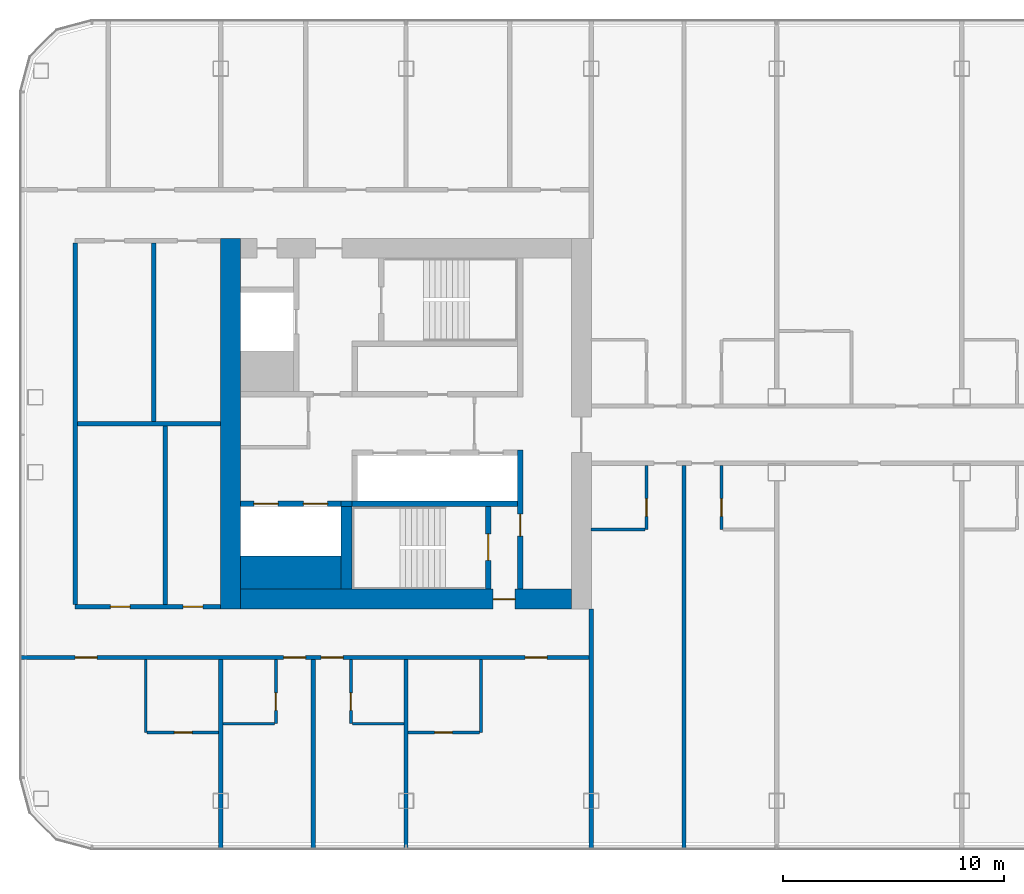
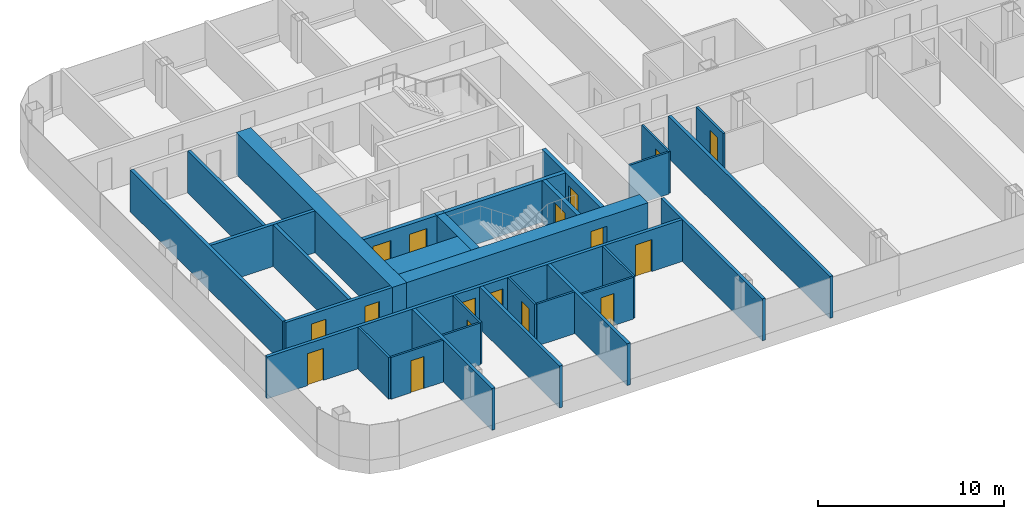
# One storey, part 12 of 26: 31 walls, 17 doors, 17 openings.
"""IFC4 building model written with IfcOpenShell, lengths in metres."""

from ifc_helpers import new_model, si_unit, direction, frame, frame_2d, origin, place, context, subcontext, project, spatial, rectangle, extrude, material, layer, layer_set, type_object, element, fill, save


model = new_model("IFC4")

# Units and contexts
model_context = context("Model", 3, precision=1e-05, world=origin(), true_north=direction((0.0, 1.0)))
body_context = subcontext(model_context, "Body", "Model", "MODEL_VIEW")
ifc_project = project(units=[si_unit("LENGTHUNIT", "METRE"), si_unit("AREAUNIT", "SQUARE_METRE"), si_unit("VOLUMEUNIT", "CUBIC_METRE"), si_unit("PLANEANGLEUNIT", "RADIAN"), si_unit("MASSUNIT", "GRAM", prefix="KILO")], contexts=[model_context])

# Site, building, storey
site_placement = place(None, origin())
site = spatial("IfcSite", under=ifc_project, at=site_placement, CompositionType="ELEMENT")
building_placement = place(site_placement, origin())
building = spatial("IfcBuilding", under=site, at=building_placement, Name="Hakoniwa Tower and Hamabe Station Hall", CompositionType="ELEMENT")
storey_placement = place(building_placement, frame((0.0, 0.0, 140.60009765625)))
storey = spatial("IfcBuildingStorey", under=building, at=storey_placement, Name="L39", CompositionType="ELEMENT", Elevation=140.60009765625)

# Wall, opening, door
ifc_material_1 = material(Name="Gypsum board partition", Category="gypsum")
ifc_layer_1 = layer(ifc_material_1, 0.125)
ifc_layer_set_1 = layer_set([ifc_layer_1], Name="Bathroom Partition 125")
wall_type_1 = type_object("IfcWallType", Name="Bathroom Partition 125", PredefinedType="PARTITIONING", material=ifc_layer_set_1)
wall_1_placement = place(storey_placement, frame((-36.9375, -14.0, 0.0), z_axis=(0.0, 0.0, 1.0), x_axis=(1.0, 0.0, 0.0)))
wall_1 = element("IfcWall", 1, at=wall_1_placement, inside=storey, type_object=wall_type_1, Name="GW-L39-001", PredefinedType="PARTITIONING", context=body_context, shape_type="SweptSolid", body=[
    extrude(rectangle(XDim=3.237548828125, YDim=0.125, at=frame_2d((1.61865234375, 0.0))), origin(), (0.0, 0.0, 1.0), 2.75),
])
opening_1_placement = place(wall_1_placement, frame((1.237548828125, 0.0, 0.0)))
opening_1 = element("IfcOpeningElement", 2, at=opening_1_placement, cuts=wall_1, Name="Opening GD-G3D0-01", PredefinedType="OPENING", context=body_context, shape_type="SweptSolid", body=[
    extrude(rectangle(XDim=0.800048828125, YDim=2.10009765625, at=frame_2d((0.39990234375, 1.050048828125))), frame((0.0, 0.072509765625, 0.0), z_axis=(0.0, -1.0, 0.0), x_axis=(1.0, 0.0, 0.0)), (0.0, 0.0, 1.0), 0.14501953125),
])
ifc_material_2 = material(Name="Timber door leaf", Category="wood")
door_type_1 = type_object("IfcDoorType", Name="Bathroom Door 800", OperationType="SINGLE_SWING_LEFT", PredefinedType="DOOR", material=ifc_material_2)
door_1_placement = place(opening_1_placement, origin())
door_1 = element("IfcDoor", 3, at=door_1_placement, inside=storey, type_object=door_type_1, Name="Door GD-G3D0-01", OperationType="SINGLE_SWING_RIGHT", OverallHeight=2.10009765625, OverallWidth=0.800048828125, PredefinedType="DOOR", context=body_context, shape_type="SweptSolid", body=[
    extrude(rectangle(XDim=0.800048828125, YDim=2.10009765625, at=frame_2d((0.39990234375, 1.050048828125))), frame((0.0, 0.02490234375, 0.0), z_axis=(0.0, -1.0, 0.0), x_axis=(1.0, 0.0, 0.0)), (0.0, 0.0, 1.0), 0.050048828125),
])
fill(opening_1, door_1)

wall_2_placement = place(storey_placement, frame((-25.10009765625, -14.0, 0.0), z_axis=(0.0, 0.0, 1.0), x_axis=(1.0, 0.0, 0.0)))
wall_2 = element("IfcWall", 4, at=wall_2_placement, inside=storey, type_object=wall_type_1, Name="GW-L39-002", PredefinedType="PARTITIONING", context=body_context, shape_type="SweptSolid", body=[
    extrude(rectangle(XDim=3.237548828125, YDim=0.125, at=frame_2d((1.61865234375, 0.0))), origin(), (0.0, 0.0, 1.0), 2.75),
])
opening_2_placement = place(wall_2_placement, frame((1.199951171875, 0.0, 0.0)))
opening_2 = element("IfcOpeningElement", 5, at=opening_2_placement, cuts=wall_2, Name="Opening GD-G3D0-02", PredefinedType="OPENING", context=body_context, shape_type="SweptSolid", body=[
    extrude(rectangle(XDim=0.800048828125, YDim=2.10009765625, at=frame_2d((0.39990234375, 1.050048828125))), frame((0.0, 0.072509765625, 0.0), z_axis=(0.0, -1.0, 0.0), x_axis=(1.0, 0.0, 0.0)), (0.0, 0.0, 1.0), 0.14501953125),
])
door_2_placement = place(opening_2_placement, origin())
door_2 = element("IfcDoor", 6, at=door_2_placement, inside=storey, type_object=door_type_1, Name="Door GD-G3D0-02", OperationType="SINGLE_SWING_LEFT", OverallHeight=2.10009765625, OverallWidth=0.800048828125, PredefinedType="DOOR", context=body_context, shape_type="SweptSolid", body=[
    extrude(rectangle(XDim=0.800048828125, YDim=2.10009765625, at=frame_2d((0.39990234375, 1.050048828125))), frame((0.0, 0.02490234375, 0.0), z_axis=(0.0, -1.0, 0.0), x_axis=(1.0, 0.0, 0.0)), (0.0, 0.0, 1.0), 0.050048828125),
])
fill(opening_2, door_2)

# Walls
for number, where, z_axis, x_axis, name in (
    (7, (-33.5, -13.60009765625, 0.0), (0.0, 0.0, 1.0), (1.0, 0.0, 0.0), "GW-L39-004"),
    (8, (-27.637451171875, -13.60009765625, 0.0), (0.0, 0.0, 1.0), (1.0, 0.0, 0.0), "GW-L39-005"),
):
    element("IfcWall", number, at=place(storey_placement, frame(where, z_axis=z_axis, x_axis=x_axis)), inside=storey, type_object=wall_type_1, Name=name, PredefinedType="PARTITIONING", context=body_context, shape_type="SweptSolid", body=[
        extrude(rectangle(XDim=2.33740234375, YDim=0.125, at=frame_2d((1.168701171875, 0.0))), origin(), (0.0, 0.0, 1.0), 2.75),
    ])
wall_3_placement = place(storey_placement, frame((-16.81005859375, -4.800048828125, 0.0), z_axis=(0.0, 0.0, 1.0), x_axis=(1.0, 0.0, 0.0)))
element("IfcWall", 9, at=wall_3_placement, inside=storey, type_object=wall_type_1, Name="GW-L39-015", PredefinedType="PARTITIONING", context=body_context, shape_type="SweptSolid", body=[
    extrude(rectangle(XDim=2.447509765625, YDim=0.125, at=frame_2d((1.2236328125, 0.0))), origin(), (0.0, 0.0, 1.0), 2.75),
])
wall_4_placement = place(storey_placement, frame((-37.0, -14.0, 0.0), z_axis=(0.0, 0.0, 1.0), x_axis=(0.0, 1.0, 0.0)))
element("IfcWall", 10, at=wall_4_placement, inside=storey, type_object=wall_type_1, Name="GW-L39-035", PredefinedType="PARTITIONING", context=body_context, shape_type="SweptSolid", body=[
    extrude(rectangle(XDim=3.300048828125, YDim=0.125, at=frame_2d((1.64990234375, 0.0))), origin(), (0.0, 0.0, 1.0), 2.75),
])

# Wall, opening, door
wall_5_placement = place(storey_placement, frame((-31.10009765625, -13.60009765625, 0.0), z_axis=(0.0, 0.0, 1.0), x_axis=(0.0, 1.0, 0.0)))
wall_5 = element("IfcWall", 11, at=wall_5_placement, inside=storey, type_object=wall_type_1, Name="GW-L39-040", PredefinedType="PARTITIONING", context=body_context, shape_type="SweptSolid", body=[
    extrude(rectangle(XDim=2.900146484375, YDim=0.125, at=frame_2d((1.4501953125, 0.0))), origin(), (0.0, 0.0, 1.0), 2.75),
])
opening_3_placement = place(wall_5_placement, frame((0.60009765625, 0.0, 0.0)))
opening_3 = element("IfcOpeningElement", 12, at=opening_3_placement, cuts=wall_5, Name="Opening GD-G3D0-44", PredefinedType="OPENING", context=body_context, shape_type="SweptSolid", body=[
    extrude(rectangle(XDim=0.800048828125, YDim=2.10009765625, at=frame_2d((0.39990234375, 1.050048828125))), frame((0.0, 0.072509765625, 0.0), z_axis=(0.0, -1.0, 0.0), x_axis=(1.0, 0.0, 0.0)), (0.0, 0.0, 1.0), 0.14501953125),
])
door_3_placement = place(opening_3_placement, origin())
door_3 = element("IfcDoor", 13, at=door_3_placement, inside=storey, type_object=door_type_1, Name="Door GD-G3D0-44", OperationType="SINGLE_SWING_RIGHT", OverallHeight=2.10009765625, OverallWidth=0.800048828125, PredefinedType="DOOR", context=body_context, shape_type="SweptSolid", body=[
    extrude(rectangle(XDim=0.800048828125, YDim=2.10009765625, at=frame_2d((0.39990234375, 1.050048828125))), frame((0.0, 0.02490234375, 0.0), z_axis=(0.0, -1.0, 0.0), x_axis=(1.0, 0.0, 0.0)), (0.0, 0.0, 1.0), 0.050048828125),
])
fill(opening_3, door_3)

wall_6_placement = place(storey_placement, frame((-27.699951171875, -13.60009765625, 0.0), z_axis=(0.0, 0.0, 1.0), x_axis=(0.0, 1.0, 0.0)))
wall_6 = element("IfcWall", 14, at=wall_6_placement, inside=storey, type_object=wall_type_1, Name="GW-L39-043", PredefinedType="PARTITIONING", context=body_context, shape_type="SweptSolid", body=[
    extrude(rectangle(XDim=2.900146484375, YDim=0.125, at=frame_2d((1.4501953125, 0.0))), origin(), (0.0, 0.0, 1.0), 2.75),
])
opening_4_placement = place(wall_6_placement, frame((0.60009765625, 0.0, 0.0)))
opening_4 = element("IfcOpeningElement", 15, at=opening_4_placement, cuts=wall_6, Name="Opening GD-G3D0-45", PredefinedType="OPENING", context=body_context, shape_type="SweptSolid", body=[
    extrude(rectangle(XDim=0.800048828125, YDim=2.10009765625, at=frame_2d((0.39990234375, 1.050048828125))), frame((0.0, 0.072509765625, 0.0), z_axis=(0.0, -1.0, 0.0), x_axis=(1.0, 0.0, 0.0)), (0.0, 0.0, 1.0), 0.14501953125),
])
door_4_placement = place(opening_4_placement, origin())
door_4 = element("IfcDoor", 16, at=door_4_placement, inside=storey, type_object=door_type_1, Name="Door GD-G3D0-45", OperationType="SINGLE_SWING_LEFT", OverallHeight=2.10009765625, OverallWidth=0.800048828125, PredefinedType="DOOR", context=body_context, shape_type="SweptSolid", body=[
    extrude(rectangle(XDim=0.800048828125, YDim=2.10009765625, at=frame_2d((0.39990234375, 1.050048828125))), frame((0.0, 0.02490234375, 0.0), z_axis=(0.0, -1.0, 0.0), x_axis=(1.0, 0.0, 0.0)), (0.0, 0.0, 1.0), 0.050048828125),
])
fill(opening_4, door_4)

# Wall
wall_7_placement = place(storey_placement, frame((-21.800048828125, -14.0, 0.0), z_axis=(0.0, 0.0, 1.0), x_axis=(0.0, 1.0, 0.0)))
element("IfcWall", 17, at=wall_7_placement, inside=storey, type_object=wall_type_1, Name="GW-L39-046", PredefinedType="PARTITIONING", context=body_context, shape_type="SweptSolid", body=[
    extrude(rectangle(XDim=3.300048828125, YDim=0.125, at=frame_2d((1.64990234375, 0.0))), origin(), (0.0, 0.0, 1.0), 2.75),
])

# Wall, opening, door
wall_8_placement = place(storey_placement, frame((-14.300048828125, -4.800048828125, 0.0), z_axis=(0.0, 0.0, 1.0), x_axis=(0.0, 1.0, 0.0)))
wall_8 = element("IfcWall", 18, at=wall_8_placement, inside=storey, type_object=wall_type_1, Name="GW-L39-050", PredefinedType="PARTITIONING", context=body_context, shape_type="SweptSolid", body=[
    extrude(rectangle(XDim=2.900146484375, YDim=0.125, at=frame_2d((1.4501953125, 0.0))), origin(), (0.0, 0.0, 1.0), 2.75),
])
opening_5_placement = place(wall_8_placement, frame((0.60009765625, 0.0, 0.0)))
opening_5 = element("IfcOpeningElement", 19, at=opening_5_placement, cuts=wall_8, Name="Opening GD-G3D0-46", PredefinedType="OPENING", context=body_context, shape_type="SweptSolid", body=[
    extrude(rectangle(XDim=0.800048828125, YDim=2.10009765625, at=frame_2d((0.39990234375, 1.050048828125))), frame((0.0, 0.072509765625, 0.0), z_axis=(0.0, -1.0, 0.0), x_axis=(1.0, 0.0, 0.0)), (0.0, 0.0, 1.0), 0.14501953125),
])
door_5_placement = place(opening_5_placement, origin())
door_5 = element("IfcDoor", 20, at=door_5_placement, inside=storey, type_object=door_type_1, Name="Door GD-G3D0-46", OperationType="SINGLE_SWING_RIGHT", OverallHeight=2.10009765625, OverallWidth=0.800048828125, PredefinedType="DOOR", context=body_context, shape_type="SweptSolid", body=[
    extrude(rectangle(XDim=0.800048828125, YDim=2.10009765625, at=frame_2d((0.39990234375, 1.050048828125))), frame((0.0, 0.02490234375, 0.0), z_axis=(0.0, -1.0, 0.0), x_axis=(1.0, 0.0, 0.0)), (0.0, 0.0, 1.0), 0.050048828125),
])
fill(opening_5, door_5)

wall_9_placement = place(storey_placement, frame((-10.89990234375, -4.800048828125, 0.0), z_axis=(0.0, 0.0, 1.0), x_axis=(0.0, 1.0, 0.0)))
wall_9 = element("IfcWall", 21, at=wall_9_placement, inside=storey, type_object=wall_type_1, Name="GW-L39-054", PredefinedType="PARTITIONING", context=body_context, shape_type="SweptSolid", body=[
    extrude(rectangle(XDim=2.900146484375, YDim=0.125, at=frame_2d((1.4501953125, 0.0))), origin(), (0.0, 0.0, 1.0), 2.75),
])
opening_6_placement = place(wall_9_placement, frame((0.60009765625, 0.0, 0.0)))
opening_6 = element("IfcOpeningElement", 22, at=opening_6_placement, cuts=wall_9, Name="Opening GD-G3D0-48", PredefinedType="OPENING", context=body_context, shape_type="SweptSolid", body=[
    extrude(rectangle(XDim=0.800048828125, YDim=2.10009765625, at=frame_2d((0.39990234375, 1.050048828125))), frame((0.0, 0.072509765625, 0.0), z_axis=(0.0, -1.0, 0.0), x_axis=(1.0, 0.0, 0.0)), (0.0, 0.0, 1.0), 0.14501953125),
])
door_6_placement = place(opening_6_placement, origin())
door_6 = element("IfcDoor", 23, at=door_6_placement, inside=storey, type_object=door_type_1, Name="Door GD-G3D0-48", OperationType="SINGLE_SWING_LEFT", OverallHeight=2.10009765625, OverallWidth=0.800048828125, PredefinedType="DOOR", context=body_context, shape_type="SweptSolid", body=[
    extrude(rectangle(XDim=0.800048828125, YDim=2.10009765625, at=frame_2d((0.39990234375, 1.050048828125))), frame((0.0, 0.02490234375, 0.0), z_axis=(0.0, -1.0, 0.0), x_axis=(1.0, 0.0, 0.0)), (0.0, 0.0, 1.0), 0.050048828125),
])
fill(opening_6, door_6)

# Wall
ifc_material_3 = material(Name="Concrete C66", Category="concrete")
ifc_layer_2 = layer(ifc_material_3, 0.89990234375)
ifc_layer_set_2 = layer_set([ifc_layer_2], Name="CORE WALL 900 C66")
wall_type_2 = type_object("IfcWallType", Name="CORE WALL 900 C66", PredefinedType="SHEAR", material=ifc_layer_set_2)
wall_10_placement = place(storey_placement, frame((-33.14990234375, -8.39990234375, 0.0), z_axis=(0.0, 0.0, 1.0), x_axis=(0.0, 1.0, 0.0)))
element("IfcWall", 24, at=wall_10_placement, inside=storey, type_object=wall_type_2, Name="Core wall OUTER west", PredefinedType="SHEAR", context=body_context, shape_type="SweptSolid", body=[
    extrude(rectangle(XDim=16.7998046875, YDim=0.89990234375, at=frame_2d((8.39990234375, 0.0))), origin(), (0.0, 0.0, 1.0), 2.75),
])

# Wall, opening, door
wall_11_placement = place(storey_placement, frame((-32.699951171875, -7.949951171875, 0.0), z_axis=(0.0, 0.0, 1.0), x_axis=(1.0, 0.0, 0.0)))
wall_11 = element("IfcWall", 25, at=wall_11_placement, inside=storey, type_object=wall_type_2, Name="Core wall SOUTH west", PredefinedType="SHEAR", context=body_context, shape_type="SweptSolid", body=[
    extrude(rectangle(XDim=15.0, YDim=0.89990234375, at=frame_2d((7.5, 0.0))), origin(), (0.0, 0.0, 1.0), 2.75),
])
opening_7_placement = place(wall_11_placement, frame((11.449951171875, 0.0, 0.0)))
opening_7 = element("IfcOpeningElement", 26, at=opening_7_placement, cuts=wall_11, Name="Opening CD-W-FS3-10", PredefinedType="OPENING", context=body_context, shape_type="SweptSolid", body=[
    extrude(rectangle(XDim=1.0, YDim=2.10009765625, at=frame_2d((0.5, 1.050048828125))), frame((0.0, 0.4599609375, 0.0), z_axis=(0.0, -1.0, 0.0), x_axis=(1.0, 0.0, 0.0)), (0.0, 0.0, 1.0), 0.919921875),
])
ifc_material_4 = material(Name="Steel fire door", Category="steel")
door_type_2 = type_object("IfcDoorType", Name="CORE DOOR 1000 FD60", OperationType="NOTDEFINED", PredefinedType="DOOR", material=ifc_material_4)
door_7_placement = place(opening_7_placement, origin())
door_7 = element("IfcDoor", 27, at=door_7_placement, inside=storey, type_object=door_type_2, Name="Stair vestibule door", OperationType="SINGLE_SWING_RIGHT", OverallHeight=2.10009765625, OverallWidth=1.0, PredefinedType="DOOR", context=body_context, shape_type="SweptSolid", body=[
    extrude(rectangle(XDim=1.0, YDim=2.10009765625, at=frame_2d((0.5, 1.050048828125))), frame((0.0, 0.02490234375, 0.0), z_axis=(0.0, -1.0, 0.0), x_axis=(1.0, 0.0, 0.0)), (0.0, 0.0, 1.0), 0.050048828125),
])
fill(opening_7, door_7)

# Wall
ifc_material_5 = material(Name="Concrete C66", Category="concrete")
ifc_layer_3 = layer(ifc_material_5, 1.5)
ifc_layer_set_3 = layer_set([ifc_layer_3], Name="CORE WEB WALL 1500 C66")
wall_type_3 = type_object("IfcWallType", Name="CORE WEB WALL 1500 C66", PredefinedType="SHEAR", material=ifc_layer_set_3)
wall_12_placement = place(storey_placement, frame((-32.699951171875, -6.75, 0.0), z_axis=(0.0, 0.0, 1.0), x_axis=(1.0, 0.0, 0.0)))
element("IfcWall", 28, at=wall_12_placement, inside=storey, type_object=wall_type_3, Name="Core wall SER west", PredefinedType="SHEAR", context=body_context, shape_type="SweptSolid", body=[
    extrude(rectangle(XDim=4.550048828125, YDim=1.5, at=frame_2d((2.27490234375, 0.0))), origin(), (0.0, 0.0, 1.0), 2.75),
])

# Wall, opening, door
ifc_material_6 = material(Name="Concrete C66", Category="concrete")
ifc_layer_4 = layer(ifc_material_6, 0.25)
ifc_layer_set_4 = layer_set([ifc_layer_4], Name="CORE WEB WALL 250 C66")
wall_type_4 = type_object("IfcWallType", Name="CORE WEB WALL 250 C66", PredefinedType="SHEAR", material=ifc_layer_set_4)
wall_13_placement = place(storey_placement, frame((-20.02490234375, -7.5, 0.0), z_axis=(0.0, 0.0, 1.0), x_axis=(0.0, 1.0, 0.0)))
wall_13 = element("IfcWall", 29, at=wall_13_placement, inside=storey, type_object=wall_type_4, Name="Core wall W1S west", PredefinedType="SHEAR", context=body_context, shape_type="SweptSolid", body=[
    extrude(rectangle(XDim=6.300048828125, YDim=0.25, at=frame_2d((3.14990234375, 0.0))), origin(), (0.0, 0.0, 1.0), 2.75),
])
opening_8_placement = place(wall_13_placement, frame((2.39990234375, 0.0, 0.0)))
opening_8 = element("IfcOpeningElement", 30, at=opening_8_placement, cuts=wall_13, Name="Opening CD-W-VS-10", PredefinedType="OPENING", context=body_context, shape_type="SweptSolid", body=[
    extrude(rectangle(XDim=1.0, YDim=2.10009765625, at=frame_2d((0.5, 1.050048828125))), frame((0.0, 0.135009765625, 0.0), z_axis=(0.0, -1.0, 0.0), x_axis=(1.0, 0.0, 0.0)), (0.0, 0.0, 1.0), 0.27001953125),
])
door_8_placement = place(opening_8_placement, origin())
door_8 = element("IfcDoor", 31, at=door_8_placement, inside=storey, type_object=door_type_2, Name="Stair vestibule door", OperationType="SINGLE_SWING_LEFT", OverallHeight=2.10009765625, OverallWidth=1.0, PredefinedType="DOOR", context=body_context, shape_type="SweptSolid", body=[
    extrude(rectangle(XDim=1.0, YDim=2.10009765625, at=frame_2d((0.5, 1.050048828125))), frame((0.0, 0.02490234375, 0.0), z_axis=(0.0, -1.0, 0.0), x_axis=(1.0, 0.0, 0.0)), (0.0, 0.0, 1.0), 0.050048828125),
])
fill(opening_8, door_8)

# Wall
wall_14_placement = place(storey_placement, frame((-27.64990234375, -3.625, 0.0), z_axis=(0.0, 0.0, 1.0), x_axis=(1.0, 0.0, 0.0)))
element("IfcWall", 32, at=wall_14_placement, inside=storey, type_object=wall_type_4, Name="Core wall SR west", PredefinedType="SHEAR", context=body_context, shape_type="SweptSolid", body=[
    extrude(rectangle(XDim=7.5, YDim=0.25, at=frame_2d((3.75, 0.0))), origin(), (0.0, 0.0, 1.0), 2.75),
])

# Wall, opening, door
wall_15_placement = place(storey_placement, frame((-21.47509765625, -7.5, 0.0), z_axis=(0.0, 0.0, 1.0), x_axis=(0.0, 1.0, 0.0)))
wall_15 = element("IfcWall", 33, at=wall_15_placement, inside=storey, type_object=wall_type_4, Name="Core wall VE west", PredefinedType="SHEAR", context=body_context, shape_type="SweptSolid", body=[
    extrude(rectangle(XDim=3.75, YDim=0.25, at=frame_2d((1.875, 0.0))), origin(), (0.0, 0.0, 1.0), 2.75),
])
opening_9_placement = place(wall_15_placement, frame((1.300048828125, 0.0, 0.0)))
opening_9 = element("IfcOpeningElement", 34, at=opening_9_placement, cuts=wall_15, Name="Opening CD-W-SS-12", PredefinedType="OPENING", context=body_context, shape_type="SweptSolid", body=[
    extrude(rectangle(XDim=1.199951171875, YDim=2.10009765625, at=frame_2d((0.60009765625, 1.050048828125))), frame((0.0, 0.135009765625, 0.0), z_axis=(0.0, -1.0, 0.0), x_axis=(1.0, 0.0, 0.0)), (0.0, 0.0, 1.0), 0.27001953125),
])
ifc_material_7 = material(Name="Steel fire door", Category="steel")
door_type_3 = type_object("IfcDoorType", Name="CORE DOOR 1200 FD60", OperationType="DOUBLE_DOOR_SINGLE_SWING", PredefinedType="DOOR", material=ifc_material_7)
door_9_placement = place(opening_9_placement, origin())
door_9 = element("IfcDoor", 35, at=door_9_placement, inside=storey, type_object=door_type_3, Name="Escape stair door", OperationType="DOUBLE_DOOR_SINGLE_SWING", OverallHeight=2.10009765625, OverallWidth=1.199951171875, PredefinedType="DOOR", context=body_context, shape_type="SweptSolid", body=[
    extrude(rectangle(XDim=1.199951171875, YDim=2.10009765625, at=frame_2d((0.60009765625, 1.050048828125))), frame((0.0, 0.02490234375, 0.0), z_axis=(0.0, -1.0, 0.0), x_axis=(1.0, 0.0, 0.0)), (0.0, 0.0, 1.0), 0.050048828125),
])
fill(opening_9, door_9)

# Wall, openings, doors
wall_16_placement = place(storey_placement, frame((-32.699951171875, -3.625, 0.0), z_axis=(0.0, 0.0, 1.0), x_axis=(1.0, 0.0, 0.0)))
wall_16 = element("IfcWall", 36, at=wall_16_placement, inside=storey, type_object=wall_type_4, Name="Core wall SEF west", PredefinedType="SHEAR", context=body_context, shape_type="SweptSolid", body=[
    extrude(rectangle(XDim=4.550048828125, YDim=0.25, at=frame_2d((2.27490234375, 0.0))), origin(), (0.0, 0.0, 1.0), 2.75),
])
opening_10_placement = place(wall_16_placement, frame((2.85009765625, 0.0, 0.0)))
opening_10 = element("IfcOpeningElement", 37, at=opening_10_placement, cuts=wall_16, Name="Opening LD-SV1", PredefinedType="OPENING", context=body_context, shape_type="SweptSolid", body=[
    extrude(rectangle(XDim=1.10009765625, YDim=2.10009765625, at=frame_2d((0.550048828125, 1.050048828125))), frame((0.0, 0.135009765625, 0.0), z_axis=(0.0, -1.0, 0.0), x_axis=(1.0, 0.0, 0.0)), (0.0, 0.0, 1.0), 0.27001953125),
])
opening_11_placement = place(wall_16_placement, frame((0.60009765625, 0.0, 0.0)))
opening_11 = element("IfcOpeningElement", 38, at=opening_11_placement, cuts=wall_16, Name="Opening LD-SV2", PredefinedType="OPENING", context=body_context, shape_type="SweptSolid", body=[
    extrude(rectangle(XDim=1.10009765625, YDim=2.10009765625, at=frame_2d((0.550048828125, 1.050048828125))), frame((0.0, 0.135009765625, 0.0), z_axis=(0.0, -1.0, 0.0), x_axis=(1.0, 0.0, 0.0)), (0.0, 0.0, 1.0), 0.27001953125),
])
ifc_material_8 = material(Name="Stainless steel SUS304", Category="steel")
door_type_4 = type_object("IfcDoorType", Name="LIFT LANDING DOOR 1100 FD60", OperationType="DOUBLE_DOOR_SLIDING", PredefinedType="DOOR", material=ifc_material_8)
door_10_placement = place(opening_10_placement, origin())
door_10 = element("IfcDoor", 39, at=door_10_placement, inside=storey, type_object=door_type_4, Name="Lift landing door SV1 L39", OperationType="DOUBLE_DOOR_SLIDING", OverallHeight=2.10009765625, OverallWidth=1.10009765625, PredefinedType="DOOR", context=body_context, shape_type="SweptSolid", body=[
    extrude(rectangle(XDim=1.10009765625, YDim=2.10009765625, at=frame_2d((0.550048828125, 1.050048828125))), frame((0.0, 0.02490234375, 0.0), z_axis=(0.0, -1.0, 0.0), x_axis=(1.0, 0.0, 0.0)), (0.0, 0.0, 1.0), 0.050048828125),
])
fill(opening_10, door_10)
door_11_placement = place(opening_11_placement, origin())
door_11 = element("IfcDoor", 40, at=door_11_placement, inside=storey, type_object=door_type_4, Name="Lift landing door SV2 L39", OperationType="DOUBLE_DOOR_SLIDING", OverallHeight=2.10009765625, OverallWidth=1.10009765625, PredefinedType="DOOR", context=body_context, shape_type="SweptSolid", body=[
    extrude(rectangle(XDim=1.10009765625, YDim=2.10009765625, at=frame_2d((0.550048828125, 1.050048828125))), frame((0.0, 0.02490234375, 0.0), z_axis=(0.0, -1.0, 0.0), x_axis=(1.0, 0.0, 0.0)), (0.0, 0.0, 1.0), 0.050048828125),
])
fill(opening_11, door_11)

# Walls
wall_17_placement = place(storey_placement, frame((-28.14990234375, -3.625, 0.0), z_axis=(0.0, 0.0, 1.0), x_axis=(1.0, 0.0, 0.0)))
element("IfcWall", 41, at=wall_17_placement, inside=storey, type_object=wall_type_4, Name="Core wall SRK west", PredefinedType="SHEAR", context=body_context, shape_type="SweptSolid", body=[
    extrude(rectangle(XDim=0.5, YDim=0.25, at=frame_2d((0.25, 0.0))), origin(), (0.0, 0.0, 1.0), 2.75),
])
ifc_material_9 = material(Name="Concrete C66", Category="concrete")
ifc_layer_5 = layer(ifc_material_9, 0.5)
ifc_layer_set_5 = layer_set([ifc_layer_5], Name="CORE WEB WALL 500 C66")
wall_type_5 = type_object("IfcWallType", Name="CORE WEB WALL 500 C66", PredefinedType="SHEAR", material=ifc_layer_set_5)
wall_18_placement = place(storey_placement, frame((-27.89990234375, -7.5, 0.0), z_axis=(0.0, 0.0, 1.0), x_axis=(0.0, 1.0, 0.0)))
element("IfcWall", 42, at=wall_18_placement, inside=storey, type_object=wall_type_5, Name="Core wall SSE west", PredefinedType="SHEAR", context=body_context, shape_type="SweptSolid", body=[
    extrude(rectangle(XDim=3.75, YDim=0.5, at=frame_2d((1.875, 0.0))), origin(), (0.0, 0.0, 1.0), 2.75),
])

# Wall, openings, doors
ifc_material_10 = material(Name="Fire-rated gypsum board partition", Category="gypsum")
ifc_layer_6 = layer(ifc_material_10, 0.199951171875)
ifc_layer_set_6 = layer_set([ifc_layer_6], Name="Corridor Wall 200")
wall_type_6 = type_object("IfcWallType", Name="Corridor Wall 200", PredefinedType="PARTITIONING", material=ifc_layer_set_6)
wall_19_placement = place(storey_placement, frame((-42.699951171875, -10.60009765625, 0.0), z_axis=(0.0, 0.0, 1.0), x_axis=(1.0, 0.0, 0.0)))
wall_19 = element("IfcWall", 43, at=wall_19_placement, inside=storey, type_object=wall_type_6, Name="GW-L39-010", PredefinedType="PARTITIONING", context=body_context, shape_type="SweptSolid", body=[
    extrude(rectangle(XDim=25.89990234375, YDim=0.199951171875, at=frame_2d((12.949951171875, 0.0))), origin(), (0.0, 0.0, 1.0), 2.75),
])
opening_12_placement = place(wall_19_placement, frame((2.5, 0.0, 0.0)))
opening_12 = element("IfcOpeningElement", 44, at=opening_12_placement, cuts=wall_19, Name="Opening GD-G3D0-04", PredefinedType="OPENING", context=body_context, shape_type="SweptSolid", body=[
    extrude(rectangle(XDim=1.0, YDim=2.10009765625, at=frame_2d((0.5, 1.050048828125))), frame((0.0, 0.10986328125, 0.0), z_axis=(0.0, -1.0, 0.0), x_axis=(1.0, 0.0, 0.0)), (0.0, 0.0, 1.0), 0.219970703125),
])
opening_13_placement = place(wall_19_placement, frame((11.949951171875, 0.0, 0.0)))
opening_13 = element("IfcOpeningElement", 45, at=opening_13_placement, cuts=wall_19, Name="Opening GD-G3D0-05", PredefinedType="OPENING", context=body_context, shape_type="SweptSolid", body=[
    extrude(rectangle(XDim=1.0, YDim=2.10009765625, at=frame_2d((0.5, 1.050048828125))), frame((0.0, 0.10986328125, 0.0), z_axis=(0.0, -1.0, 0.0), x_axis=(1.0, 0.0, 0.0)), (0.0, 0.0, 1.0), 0.219970703125),
])
opening_14_placement = place(wall_19_placement, frame((13.64990234375, 0.0, 0.0)))
opening_14 = element("IfcOpeningElement", 46, at=opening_14_placement, cuts=wall_19, Name="Opening GD-G3D0-06", PredefinedType="OPENING", context=body_context, shape_type="SweptSolid", body=[
    extrude(rectangle(XDim=1.0, YDim=2.10009765625, at=frame_2d((0.5, 1.050048828125))), frame((0.0, 0.10986328125, 0.0), z_axis=(0.0, -1.0, 0.0), x_axis=(1.0, 0.0, 0.0)), (0.0, 0.0, 1.0), 0.219970703125),
])
opening_15_placement = place(wall_19_placement, frame((22.89990234375, 0.0, 0.0)))
opening_15 = element("IfcOpeningElement", 47, at=opening_15_placement, cuts=wall_19, Name="Opening GD-G3D0-07", PredefinedType="OPENING", context=body_context, shape_type="SweptSolid", body=[
    extrude(rectangle(XDim=1.0, YDim=2.10009765625, at=frame_2d((0.5, 1.050048828125))), frame((0.0, 0.10986328125, 0.0), z_axis=(0.0, -1.0, 0.0), x_axis=(1.0, 0.0, 0.0)), (0.0, 0.0, 1.0), 0.219970703125),
])
ifc_material_11 = material(Name="Timber door leaf", Category="wood")
door_type_5 = type_object("IfcDoorType", Name="Guest Entrance Door 1000", OperationType="SINGLE_SWING_LEFT", PredefinedType="DOOR", material=ifc_material_11)
door_12_placement = place(opening_12_placement, origin())
door_12 = element("IfcDoor", 48, at=door_12_placement, inside=storey, type_object=door_type_5, Name="Door GD-G3D0-04", OperationType="SINGLE_SWING_RIGHT", OverallHeight=2.10009765625, OverallWidth=1.0, PredefinedType="DOOR", context=body_context, shape_type="SweptSolid", body=[
    extrude(rectangle(XDim=1.0, YDim=2.10009765625, at=frame_2d((0.5, 1.050048828125))), frame((0.0, 0.02490234375, 0.0), z_axis=(0.0, -1.0, 0.0), x_axis=(1.0, 0.0, 0.0)), (0.0, 0.0, 1.0), 0.050048828125),
])
fill(opening_12, door_12)
door_13_placement = place(opening_13_placement, origin())
door_13 = element("IfcDoor", 49, at=door_13_placement, inside=storey, type_object=door_type_5, Name="Door GD-G3D0-05", OperationType="SINGLE_SWING_LEFT", OverallHeight=2.10009765625, OverallWidth=1.0, PredefinedType="DOOR", context=body_context, shape_type="SweptSolid", body=[
    extrude(rectangle(XDim=1.0, YDim=2.10009765625, at=frame_2d((0.5, 1.050048828125))), frame((0.0, 0.02490234375, 0.0), z_axis=(0.0, -1.0, 0.0), x_axis=(1.0, 0.0, 0.0)), (0.0, 0.0, 1.0), 0.050048828125),
])
fill(opening_13, door_13)
door_14_placement = place(opening_14_placement, origin())
door_14 = element("IfcDoor", 50, at=door_14_placement, inside=storey, type_object=door_type_5, Name="Door GD-G3D0-06", OperationType="SINGLE_SWING_RIGHT", OverallHeight=2.10009765625, OverallWidth=1.0, PredefinedType="DOOR", context=body_context, shape_type="SweptSolid", body=[
    extrude(rectangle(XDim=1.0, YDim=2.10009765625, at=frame_2d((0.5, 1.050048828125))), frame((0.0, 0.02490234375, 0.0), z_axis=(0.0, -1.0, 0.0), x_axis=(1.0, 0.0, 0.0)), (0.0, 0.0, 1.0), 0.050048828125),
])
fill(opening_14, door_14)
door_15_placement = place(opening_15_placement, origin())
door_15 = element("IfcDoor", 51, at=door_15_placement, inside=storey, type_object=door_type_5, Name="Door GD-G3D0-07", OperationType="SINGLE_SWING_LEFT", OverallHeight=2.10009765625, OverallWidth=1.0, PredefinedType="DOOR", context=body_context, shape_type="SweptSolid", body=[
    extrude(rectangle(XDim=1.0, YDim=2.10009765625, at=frame_2d((0.5, 1.050048828125))), frame((0.0, 0.02490234375, 0.0), z_axis=(0.0, -1.0, 0.0), x_axis=(1.0, 0.0, 0.0)), (0.0, 0.0, 1.0), 0.050048828125),
])
fill(opening_15, door_15)

wall_20_placement = place(storey_placement, frame((-40.199951171875, -8.300048828125, 0.0), z_axis=(0.0, 0.0, 1.0), x_axis=(1.0, 0.0, 0.0)))
wall_20 = element("IfcWall", 52, at=wall_20_placement, inside=storey, type_object=wall_type_6, Name="GW-L39-012", PredefinedType="PARTITIONING", context=body_context, shape_type="SweptSolid", body=[
    extrude(rectangle(XDim=6.599853515625, YDim=0.199951171875, at=frame_2d((3.2998046875, 0.0))), origin(), (0.0, 0.0, 1.0), 2.75),
])
opening_16_placement = place(wall_20_placement, frame((1.594970703125, 0.0, 0.0)))
opening_16 = element("IfcOpeningElement", 53, at=opening_16_placement, cuts=wall_20, Name="Opening GD-G3D0-13", PredefinedType="OPENING", context=body_context, shape_type="SweptSolid", body=[
    extrude(rectangle(XDim=0.89990234375, YDim=2.10009765625, at=frame_2d((0.449951171875, 1.050048828125))), frame((0.0, 0.10986328125, 0.0), z_axis=(0.0, -1.0, 0.0), x_axis=(1.0, 0.0, 0.0)), (0.0, 0.0, 1.0), 0.219970703125),
])
opening_17_placement = place(wall_20_placement, frame((4.89501953125, 0.0, 0.0)))
opening_17 = element("IfcOpeningElement", 54, at=opening_17_placement, cuts=wall_20, Name="Opening GD-G3D0-14", PredefinedType="OPENING", context=body_context, shape_type="SweptSolid", body=[
    extrude(rectangle(XDim=0.89990234375, YDim=2.10009765625, at=frame_2d((0.449951171875, 1.050048828125))), frame((0.0, 0.10986328125, 0.0), z_axis=(0.0, -1.0, 0.0), x_axis=(1.0, 0.0, 0.0)), (0.0, 0.0, 1.0), 0.219970703125),
])
ifc_material_12 = material(Name="Timber door leaf", Category="wood")
door_type_6 = type_object("IfcDoorType", Name="Service Door 900", OperationType="SINGLE_SWING_LEFT", PredefinedType="DOOR", material=ifc_material_12)
door_16_placement = place(opening_16_placement, origin())
door_16 = element("IfcDoor", 55, at=door_16_placement, inside=storey, type_object=door_type_6, Name="Door GD-G3D0-13", OperationType="SINGLE_SWING_LEFT", OverallHeight=2.10009765625, OverallWidth=0.89990234375, PredefinedType="DOOR", context=body_context, shape_type="SweptSolid", body=[
    extrude(rectangle(XDim=0.89990234375, YDim=2.10009765625, at=frame_2d((0.449951171875, 1.050048828125))), frame((0.0, 0.02490234375, 0.0), z_axis=(0.0, -1.0, 0.0), x_axis=(1.0, 0.0, 0.0)), (0.0, 0.0, 1.0), 0.050048828125),
])
fill(opening_16, door_16)
door_17_placement = place(opening_17_placement, origin())
door_17 = element("IfcDoor", 56, at=door_17_placement, inside=storey, type_object=door_type_6, Name="Door GD-G3D0-14", OperationType="SINGLE_SWING_RIGHT", OverallHeight=2.10009765625, OverallWidth=0.89990234375, PredefinedType="DOOR", context=body_context, shape_type="SweptSolid", body=[
    extrude(rectangle(XDim=0.89990234375, YDim=2.10009765625, at=frame_2d((0.449951171875, 1.050048828125))), frame((0.0, 0.02490234375, 0.0), z_axis=(0.0, -1.0, 0.0), x_axis=(1.0, 0.0, 0.0)), (0.0, 0.0, 1.0), 0.050048828125),
])
fill(opening_17, door_17)

# Walls
ifc_material_13 = material(Name="Fire-rated gypsum board partition", Category="gypsum")
ifc_layer_7 = layer(ifc_material_13, 0.199951171875)
ifc_layer_set_7 = layer_set([ifc_layer_7], Name="Party Wall 200")
wall_type_7 = type_object("IfcWallType", Name="Party Wall 200", PredefinedType="PARTITIONING", material=ifc_layer_set_7)
wall_21_placement = place(storey_placement, frame((-40.10009765625, 0.0, 0.0), z_axis=(0.0, 0.0, 1.0), x_axis=(1.0, 0.0, 0.0)))
element("IfcWall", 57, at=wall_21_placement, inside=storey, type_object=wall_type_7, Name="GW-L39-020", PredefinedType="PARTITIONING", context=body_context, shape_type="SweptSolid", body=[
    extrude(rectangle(XDim=6.5, YDim=0.199951171875, at=frame_2d((3.25, 0.0))), origin(), (0.0, 0.0, 1.0), 2.75),
])
wall_22_placement = place(storey_placement, frame((-40.199951171875, -8.199951171875, 0.0), z_axis=(0.0, 0.0, 1.0), x_axis=(0.0, 1.0, 0.0)))
element("IfcWall", 58, at=wall_22_placement, inside=storey, type_object=wall_type_7, Name="GW-L39-033", PredefinedType="PARTITIONING", context=body_context, shape_type="SweptSolid", body=[
    extrude(rectangle(XDim=16.39990234375, YDim=0.199951171875, at=frame_2d((8.199951171875, 0.0))), origin(), (0.0, 0.0, 1.0), 2.75),
])
for number, where, z_axis, x_axis, name in (
    (59, (-36.639892578125, 0.0, 0.0), (0.0, 0.0, 1.0), (0.0, 1.0, 0.0), "GW-L39-036"),
    (60, (-36.110107421875, -8.199951171875, 0.0), (0.0, 0.0, 1.0), (0.0, 1.0, 0.0), "GW-L39-037"),
):
    element("IfcWall", number, at=place(storey_placement, frame(where, z_axis=z_axis, x_axis=x_axis)), inside=storey, type_object=wall_type_7, Name=name, PredefinedType="PARTITIONING", context=body_context, shape_type="SweptSolid", body=[
        extrude(rectangle(XDim=8.199951171875, YDim=0.199951171875, at=frame_2d((4.10009765625, 0.0))), origin(), (0.0, 0.0, 1.0), 2.75),
    ])
for number, where, z_axis, x_axis, name in (
    (61, (-33.60009765625, -19.300048828125, 0.0), (0.0, 0.0, 1.0), (0.0, 1.0, 0.0), "GW-L39-038"),
    (62, (-29.39990234375, -19.300048828125, 0.0), (0.0, 0.0, 1.0), (0.0, 1.0, 0.0), "GW-L39-042"),
    (63, (-25.199951171875, -19.300048828125, 0.0), (0.0, 0.0, 1.0), (0.0, 1.0, 0.0), "GW-L39-044"),
):
    element("IfcWall", number, at=place(storey_placement, frame(where, z_axis=z_axis, x_axis=x_axis)), inside=storey, type_object=wall_type_7, Name=name, PredefinedType="PARTITIONING", context=body_context, shape_type="SweptSolid", body=[
        extrude(rectangle(XDim=8.60009765625, YDim=0.199951171875, at=frame_2d((4.300048828125, 0.0))), origin(), (0.0, 0.0, 1.0), 2.75),
    ])
wall_23_placement = place(storey_placement, frame((-16.800048828125, -19.300048828125, 0.0), z_axis=(0.0, 0.0, 1.0), x_axis=(0.0, 1.0, 0.0)))
element("IfcWall", 64, at=wall_23_placement, inside=storey, type_object=wall_type_7, Name="GW-L39-048", PredefinedType="PARTITIONING", context=body_context, shape_type="SweptSolid", body=[
    extrude(rectangle(XDim=10.91015625, YDim=0.199951171875, at=frame_2d((5.455078125, 0.0))), origin(), (0.0, 0.0, 1.0), 2.75),
])
wall_24_placement = place(storey_placement, frame((-12.60009765625, -19.300048828125, 0.0), z_axis=(0.0, 0.0, 1.0), x_axis=(0.0, 1.0, 0.0)))
element("IfcWall", 65, at=wall_24_placement, inside=storey, type_object=wall_type_7, Name="GW-L39-052", PredefinedType="PARTITIONING", context=body_context, shape_type="SweptSolid", body=[
    extrude(rectangle(XDim=17.400146484375, YDim=0.199951171875, at=frame_2d((8.7001953125, 0.0))), origin(), (0.0, 0.0, 1.0), 2.75),
])

save(model, "model.ifc")
